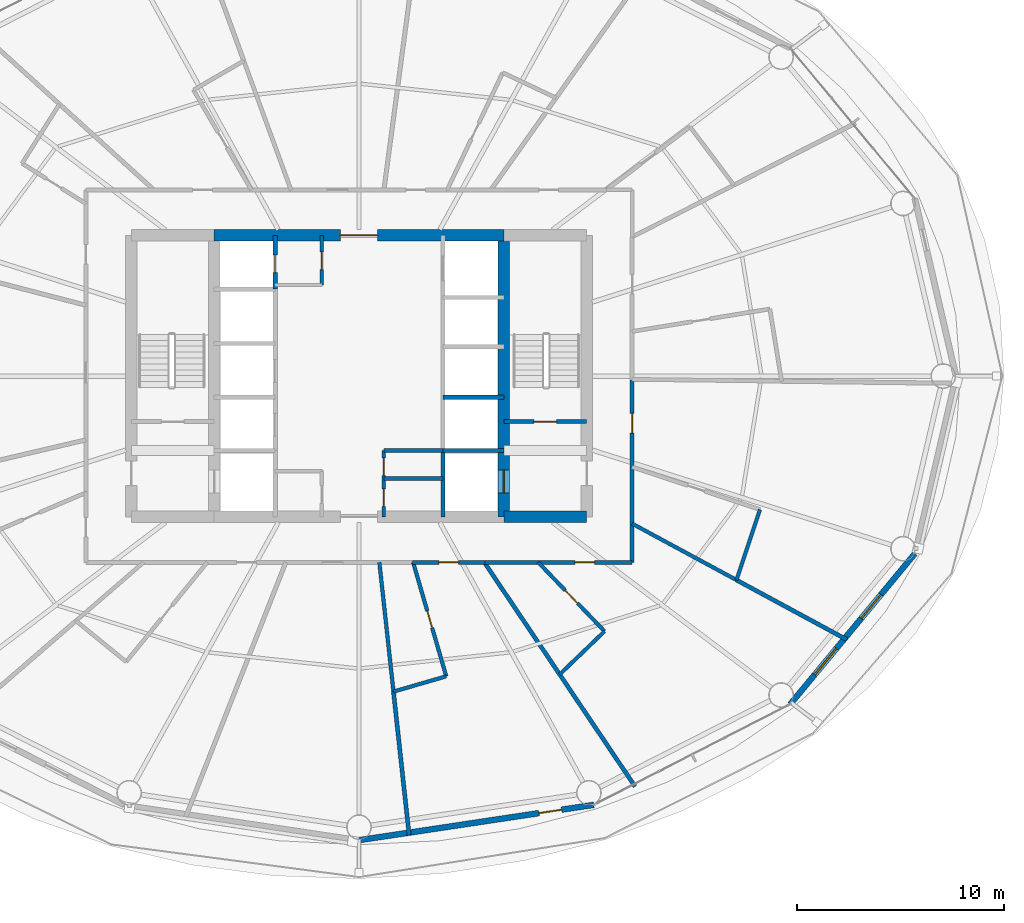
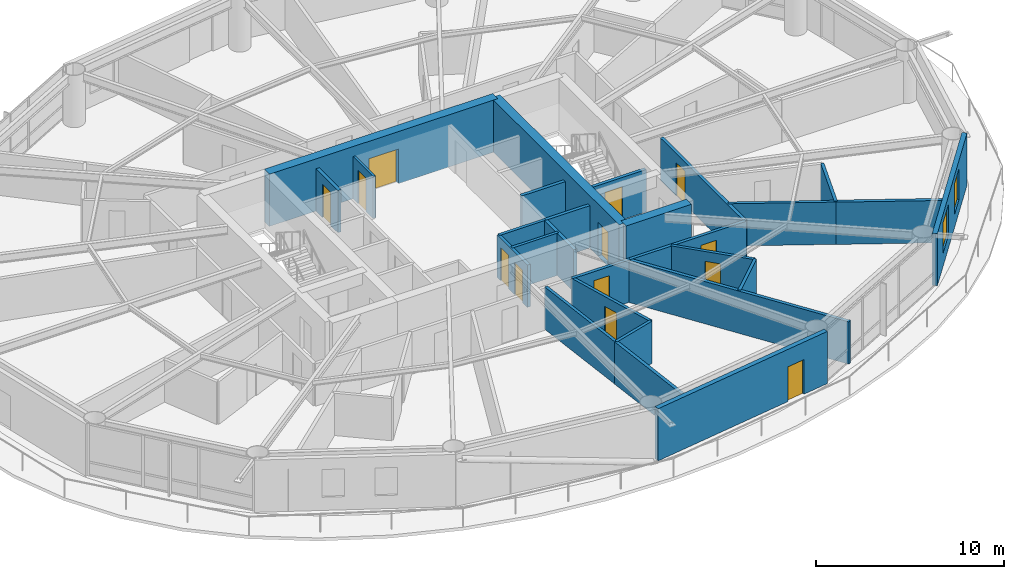
# One storey, part 19 of 24: 27 walls, 13 doors, 2 windows, 15 openings.
"""IFC4 building model written with IfcOpenShell, lengths in metres."""

import ifcopenshell
import ifcopenshell.guid

model = None  # the IFC model being written
_history = None  # IfcOwnerHistory: only IFC2X3 demands one
_inside = {}  # id of a spatial element -> (the spatial element, [elements in it])
_under = {}  # id of a project, library or spatial element -> (it, [spatial elements below it])
_declared = {}  # id of a project -> (the project, [libraries it declares])
_typed = {}  # id of a type object -> (the type object, [elements of that type])
_made_of = {}  # id of a material, layer set ... -> (it, [elements and type objects made of it])


def new_model(schema):
    """Start an empty IFC model of exactly this schema.

    Asked for "IFC4X3", IfcOpenShell would pick the latest addendum, in which some entities
    have other attributes; the version numbers below select the first issue.
    IFC2X3 requires an IfcOwnerHistory on every rooted entity: one is made here for all.
    """
    global model, _history
    if schema == "IFC4X3":
        model = ifcopenshell.file(schema_version=(4, 3, 0, 0))
    else:
        model = ifcopenshell.file(schema=schema)
    _inside.clear()
    _under.clear()
    _declared.clear()
    _typed.clear()
    _made_of.clear()
    _history = None
    if model.schema == "IFC2X3":
        org = make("IfcOrganization", Name="unknown")
        user = make(
            "IfcPersonAndOrganization",
            ThePerson=make("IfcPerson", FamilyName="unknown"),
            TheOrganization=org,
        )
        app = make(
            "IfcApplication",
            ApplicationDeveloper=org,
            Version="unknown",
            ApplicationFullName="unknown",
            ApplicationIdentifier="unknown",
        )
        _history = make(
            "IfcOwnerHistory",
            OwningUser=user,
            OwningApplication=app,
            ChangeAction="ADDED",
            CreationDate=0,
        )
    return model


def make(cls, **values):
    """One entity of the class cls with the attributes given. An attribute that is None is left unset."""
    return model.create_entity(
        cls, **{name: value for name, value in values.items() if value is not None}
    )


def rooted(cls, **values):
    """An entity with a GlobalId (a new one), such as an element, a storey or a relation."""
    return make(cls, GlobalId=ifcopenshell.guid.new(), OwnerHistory=_history, **values)


def si_unit(unit_type, name, prefix=None):
    """IfcSIUnit, for example si_unit("LENGTHUNIT", "METRE", prefix="MILLI")."""
    return make("IfcSIUnit", UnitType=unit_type, Prefix=prefix, Name=name)


def assignment(units):
    """IfcUnitAssignment: the units of a project."""
    return None if units is None else make("IfcUnitAssignment", Units=units)


def point(xyz):
    """IfcCartesianPoint."""
    return None if xyz is None else make("IfcCartesianPoint", Coordinates=xyz)


def direction(xyz):
    """IfcDirection."""
    return None if xyz is None else make("IfcDirection", DirectionRatios=xyz)


def frame(location, z_axis=None, x_axis=None):
    """IfcAxis2Placement3D, a coordinate frame: its origin and axes. An axis left out is left unset."""
    return make(
        "IfcAxis2Placement3D",
        Location=point(location),
        Axis=direction(z_axis),
        RefDirection=direction(x_axis),
    )


def frame_2d(location, x_axis=None):
    """IfcAxis2Placement2D, a coordinate frame in the plane: its origin and x axis."""
    return make(
        "IfcAxis2Placement2D", Location=point(location), RefDirection=direction(x_axis)
    )


def origin():
    """The frame at (0, 0, 0) with its axes left unset."""
    return frame((0.0, 0.0, 0.0))


def place(relative_to, where):
    """IfcLocalPlacement: puts the frame where relative to a parent placement (None: the world)."""
    return make(
        "IfcLocalPlacement", PlacementRelTo=relative_to, RelativePlacement=where
    )


def context(
    kind, dimensions, precision=None, world=None, true_north=None, identifier=None
):
    """IfcGeometricRepresentationContext, for example the 3D "Model" context."""
    return make(
        "IfcGeometricRepresentationContext",
        ContextIdentifier=identifier,
        ContextType=kind,
        CoordinateSpaceDimension=dimensions,
        Precision=precision,
        WorldCoordinateSystem=world,
        TrueNorth=true_north,
    )


def subcontext(parent, identifier, kind, view, scale=None):
    """IfcGeometricRepresentationSubContext, for example "Body" below "Model"."""
    return make(
        "IfcGeometricRepresentationSubContext",
        ContextIdentifier=identifier,
        ContextType=kind,
        ParentContext=parent,
        TargetScale=scale,
        TargetView=view,
    )


def project(units=None, contexts=None):
    """IfcProject with its units and contexts."""
    return rooted(
        "IfcProject",
        Name="project",
        RepresentationContexts=contexts,
        UnitsInContext=assignment(units),
    )


def spatial(cls, under=None, at=None, **own):
    """A site, building, storey or space (cls), placed at a placement, below another one or the project."""
    s = rooted(cls, ObjectPlacement=at, **own)
    if under is not None:
        _under.setdefault(under.id(), (under, []))[1].append(s)
    return s


def profile(cls, at=None, kind="AREA", **sizes):
    """A parametric profile (cls). Its sizes go by their IFC names, for example OverallWidth=200.0."""
    return make(cls, ProfileType=kind, Position=at, **sizes)


def rectangle(**sizes):
    """IfcRectangleProfileDef."""
    return profile("IfcRectangleProfileDef", **sizes)


def extrude(swept, where, along, depth):
    """IfcExtrudedAreaSolid: the profile swept, set in the frame where, extruded along a direction by depth."""
    return make(
        "IfcExtrudedAreaSolid",
        SweptArea=swept,
        Position=where,
        ExtrudedDirection=direction(along),
        Depth=depth,
    )


def shape(context_of_items, identifier, shape_type, items):
    """IfcShapeRepresentation: the items that make up one representation, for example the "Body"."""
    return make(
        "IfcShapeRepresentation",
        ContextOfItems=context_of_items,
        RepresentationIdentifier=identifier,
        RepresentationType=shape_type,
        Items=items,
    )


def material(Name=None, Category=None):
    """IfcMaterial."""
    return make("IfcMaterial", Name=Name, Category=Category)


def layer(
    of_material, thickness, ventilated=None, Name=None, Category=None, Priority=None
):
    """IfcMaterialLayer: one layer of a wall or slab, of a material (None: an air gap)."""
    return make(
        "IfcMaterialLayer",
        Material=of_material,
        LayerThickness=thickness,
        IsVentilated=ventilated,
        Name=Name,
        Category=Category,
        Priority=Priority,
    )


def layer_set(layers, Name=None):
    """IfcMaterialLayerSet."""
    return make("IfcMaterialLayerSet", MaterialLayers=layers, LayerSetName=Name)


def made_of(thing, what):
    """Note that an element or type object is made of a material, layer set ...; save() writes the relation."""
    if what is not None:
        _made_of.setdefault(what.id(), (what, []))[1].append(thing)
    return thing


def type_object(cls, material=None, **own):
    """A type object (cls), such as IfcWallType, which elements share."""
    return made_of(rooted(cls, **own), material)


def element(
    cls,
    number,
    at=None,
    inside=None,
    cuts=None,
    type_object=None,
    material=None,
    context=None,
    identifier="Body",
    shape_type=None,
    held_by="IfcProductDefinitionShape",
    body=None,
    shapes=None,
    **own,
):
    """One element of the class cls, such as IfcWall. Its Tag is "e" and its number.

    at: its placement. inside: the storey or other place that contains it. cuts: it is an
    opening in that element (IfcRelVoidsElement). A single representation is given by context,
    identifier, shape_type and body (its items); several are given by shapes. held_by: the class
    of the entity that holds the representations. save() writes the other relations.
    """
    e = rooted(cls, Tag="e%d" % number, ObjectPlacement=at, **own)
    if body is not None:
        shapes = [shape(context, identifier, shape_type, body)]
    if shapes is not None:
        e.Representation = make(held_by, Representations=shapes)
    if inside is not None:
        _inside.setdefault(inside.id(), (inside, []))[1].append(e)
    if cuts is not None:
        rooted(
            "IfcRelVoidsElement", RelatingBuildingElement=cuts, RelatedOpeningElement=e
        )
    if type_object is not None:
        _typed.setdefault(type_object.id(), (type_object, []))[1].append(e)
    return made_of(e, material)


def fill(opening, filler):
    """IfcRelFillsElement: the door or window that sits in an opening."""
    return rooted(
        "IfcRelFillsElement",
        RelatingOpeningElement=opening,
        RelatedBuildingElement=filler,
    )


def aggregate(whole, parts):
    """IfcRelAggregates: a whole, such as a stair, and the parts it consists of."""
    return rooted("IfcRelAggregates", RelatingObject=whole, RelatedObjects=parts)


def save(model, path):
    """Write the relations noted so far, then the file.

    IfcRelAggregates (storeys below a building ...), IfcRelContainedInSpatialStructure (elements
    in a storey), IfcRelDefinesByType, IfcRelAssociatesMaterial and IfcRelDeclares: one each for
    every whole, place, type object, material and project.
    """
    for whole, parts in _under.values():
        aggregate(whole, parts)
    for where, things in _inside.values():
        rooted(
            "IfcRelContainedInSpatialStructure",
            RelatedElements=things,
            RelatingStructure=where,
        )
    for kind, things in _typed.values():
        rooted("IfcRelDefinesByType", RelatedObjects=things, RelatingType=kind)
    for what, things in _made_of.values():
        rooted("IfcRelAssociatesMaterial", RelatedObjects=things, RelatingMaterial=what)
    for by, libraries in _declared.values():
        rooted("IfcRelDeclares", RelatingContext=by, RelatedDefinitions=libraries)
    model.write(path)


model = new_model("IFC4")

# Units and contexts
model_context = context("Model", 3, precision=1e-05, world=origin(), true_north=direction((0.0, 1.0)))
body_context = subcontext(model_context, "Body", "Model", "MODEL_VIEW")
ifc_project = project(units=[si_unit("LENGTHUNIT", "METRE"), si_unit("AREAUNIT", "SQUARE_METRE"), si_unit("VOLUMEUNIT", "CUBIC_METRE"), si_unit("PLANEANGLEUNIT", "RADIAN"), si_unit("MASSUNIT", "GRAM", prefix="KILO")], contexts=[model_context])

# Site, building, storey
site_placement = place(None, origin())
site = spatial("IfcSite", under=ifc_project, at=site_placement, CompositionType="ELEMENT")
building_placement = place(site_placement, origin())
building = spatial("IfcBuilding", under=site, at=building_placement, Name="Sarneth Arch Tower", CompositionType="ELEMENT")
storey_placement = place(building_placement, frame((0.0, 0.0, 109.199951171875)))
storey = spatial("IfcBuildingStorey", under=building, at=storey_placement, Name="L27", CompositionType="ELEMENT", Elevation=109.199951171875)

# Wall
ifc_material_1 = material(Name="Concrete C60/75", Category="concrete")
ifc_layer_1 = layer(ifc_material_1, 0.550048828125)
ifc_layer_set_1 = layer_set([ifc_layer_1], Name="Concrete C60/75")
wall_type_1 = type_object("IfcWallType", Name="WALL-CORE-550", PredefinedType="SHEAR", material=ifc_layer_set_1)
wall_1_placement = place(storey_placement, frame((55.0, 35.199951171875, 0.0), z_axis=(0.0, 0.0, 1.0), x_axis=(1.0, 0.0, 0.0)))
element("IfcWall", 1, at=wall_1_placement, inside=storey, type_object=wall_type_1, Name="L27 Core shear wall S-E", PredefinedType="SHEAR", context=body_context, shape_type="SweptSolid", body=[
    extrude(rectangle(XDim=4.0, YDim=0.550048828125, at=frame_2d((2.0, 0.0))), origin(), (0.0, 0.0, 1.0), 3.380126953125),
])

# Wall, opening, door
wall_2_placement = place(storey_placement, frame((41.0, 48.800048828125, 0.0), z_axis=(0.0, 0.0, 1.0), x_axis=(1.0, 0.0, 0.0)))
wall_2 = element("IfcWall", 2, at=wall_2_placement, inside=storey, type_object=wall_type_1, Name="L27 Core shear wall N-M", PredefinedType="SHEAR", context=body_context, shape_type="SweptSolid", body=[
    extrude(rectangle(XDim=14.0, YDim=0.550048828125, at=frame_2d((7.0, 0.0))), origin(), (0.0, 0.0, 1.0), 3.380126953125),
])
opening_1_placement = place(wall_2_placement, frame((6.10009765625, 0.0, 0.0)))
opening_1 = element("IfcOpeningElement", 3, at=opening_1_placement, cuts=wall_2, Name="Opening FD-01", PredefinedType="OPENING", context=body_context, shape_type="SweptSolid", body=[
    extrude(rectangle(XDim=1.800048828125, YDim=2.25, at=frame_2d((0.89990234375, 1.125))), frame((0.0, 0.284912109375, 0.0), z_axis=(0.0, -1.0, 0.0), x_axis=(1.0, 0.0, 0.0)), (0.0, 0.0, 1.0), 0.570068359375),
])
ifc_material_2 = material(Name="Galvanised Steel S275 fire door set", Category="steel")
door_type_1 = type_object("IfcDoorType", Name="DR-FD90-1800", OperationType="DOUBLE_DOOR_SINGLE_SWING", PredefinedType="DOOR", material=ifc_material_2)
door_1_placement = place(opening_1_placement, origin())
door_1 = element("IfcDoor", 4, at=door_1_placement, inside=storey, type_object=door_type_1, Name="L27 Central lift lobby north door", OperationType="DOUBLE_DOOR_SINGLE_SWING", OverallHeight=2.25, OverallWidth=1.800048828125, PredefinedType="DOOR", context=body_context, shape_type="SweptSolid", body=[
    extrude(rectangle(XDim=1.800048828125, YDim=2.25, at=frame_2d((0.89990234375, 1.125))), frame((0.0, 0.02490234375, 0.0), z_axis=(0.0, -1.0, 0.0), x_axis=(1.0, 0.0, 0.0)), (0.0, 0.0, 1.0), 0.050048828125),
])
fill(opening_1, door_1)

wall_3_placement = place(storey_placement, frame((55.0, 35.199951171875, 0.0), z_axis=(0.0, 0.0, 1.0), x_axis=(0.0, 1.0, 0.0)))
wall_3 = element("IfcWall", 5, at=wall_3_placement, inside=storey, type_object=wall_type_1, Name="L27 Core shear wall WEB-E", PredefinedType="SHEAR", context=body_context, shape_type="SweptSolid", body=[
    extrude(rectangle(XDim=13.60009765625, YDim=0.550048828125, at=frame_2d((6.800048828125, 0.0))), origin(), (0.0, 0.0, 1.0), 3.380126953125),
])
opening_2_placement = place(wall_3_placement, frame((1.14990234375, 0.0, 0.0)))
opening_2 = element("IfcOpeningElement", 6, at=opening_2_placement, cuts=wall_3, Name="Opening LD-1", PredefinedType="OPENING", context=body_context, shape_type="SweptSolid", body=[
    extrude(rectangle(XDim=1.10009765625, YDim=2.199951171875, at=frame_2d((0.550048828125, 1.10009765625))), frame((0.0, 0.284912109375, 0.0), z_axis=(0.0, -1.0, 0.0), x_axis=(1.0, 0.0, 0.0)), (0.0, 0.0, 1.0), 0.570068359375),
])
ifc_material_3 = material(Name="Brushed Stainless Steel 304 lift landing door", Category="steel")
door_type_2 = type_object("IfcDoorType", Name="DR-LIFT-SLIDE-1100", OperationType="SLIDING_TO_LEFT", PredefinedType="DOOR", material=ifc_material_3)
door_2_placement = place(opening_2_placement, origin())
door_2 = element("IfcDoor", 7, at=door_2_placement, inside=storey, type_object=door_type_2, Name="L27 Firefighting lift landing door FL-2", OperationType="SLIDING_TO_RIGHT", OverallHeight=2.199951171875, OverallWidth=1.10009765625, PredefinedType="DOOR", context=body_context, shape_type="SweptSolid", body=[
    extrude(rectangle(XDim=1.10009765625, YDim=2.199951171875, at=frame_2d((0.550048828125, 1.10009765625))), frame((0.0, 0.02490234375, 0.0), z_axis=(0.0, -1.0, 0.0), x_axis=(1.0, 0.0, 0.0)), (0.0, 0.0, 1.0), 0.050048828125),
])
fill(opening_2, door_2)

ifc_material_4 = material(Name="Double steel-stud corridor fire wall", Category="steel")
ifc_layer_2 = layer(ifc_material_4, 0.18994140625)
ifc_layer_set_2 = layer_set([ifc_layer_2], Name="Double steel-stud corridor fire wall")
wall_type_2 = type_object("IfcWallType", Name="WALL-CORR-190", PredefinedType="PARTITIONING", material=ifc_layer_set_2)
wall_4_placement = place(storey_placement, frame((61.199951171875, 33.0, 0.0), z_axis=(0.0, 0.0, 1.0), x_axis=(-1.0, 0.0, 0.0)))
wall_4 = element("IfcWall", 8, at=wall_4_placement, inside=storey, type_object=wall_type_2, Name="L27 Interior partition W-L27-TP-022", PredefinedType="PARTITIONING", context=body_context, shape_type="SweptSolid", body=[
    extrude(rectangle(XDim=7.185546875, YDim=0.18994140625, at=frame_2d((3.5927734375, 0.0))), origin(), (0.0, 0.0, 1.0), 2.739990234375),
])
opening_3_placement = place(wall_4_placement, frame((1.81787109375, 0.0, 0.0)))
opening_3 = element("IfcOpeningElement", 9, at=opening_3_placement, cuts=wall_4, Name="Opening FD-09", PredefinedType="OPENING", context=body_context, shape_type="SweptSolid", body=[
    extrude(rectangle(XDim=0.949951171875, YDim=2.14990234375, at=frame_2d((0.47509765625, 1.074951171875))), frame((0.0, 0.10498046875, 0.0), z_axis=(0.0, -1.0, 0.0), x_axis=(1.0, 0.0, 0.0)), (0.0, 0.0, 1.0), 0.2099609375),
])
ifc_material_5 = material(Name="Hardwood timber hotel entrance fire door", Category="wood")
door_type_3 = type_object("IfcDoorType", Name="DR-FD60-950", OperationType="SINGLE_SWING_RIGHT", PredefinedType="DOOR", material=ifc_material_5)
door_3_placement = place(opening_3_placement, origin())
door_3 = element("IfcDoor", 10, at=door_3_placement, inside=storey, type_object=door_type_3, Name="L27 Interior door DR-L27-KEY-11", OperationType="SINGLE_SWING_LEFT", OverallHeight=2.14990234375, OverallWidth=0.949951171875, PredefinedType="DOOR", context=body_context, shape_type="SweptSolid", body=[
    extrude(rectangle(XDim=0.949951171875, YDim=2.14990234375, at=frame_2d((0.47509765625, 1.074951171875))), frame((0.0, 0.02490234375, 0.0), z_axis=(0.0, -1.0, 0.0), x_axis=(1.0, 0.0, 0.0)), (0.0, 0.0, 1.0), 0.050048828125),
])
fill(opening_3, door_3)

wall_5_placement = place(storey_placement, frame((61.199951171875, 41.87255859375, 0.0), z_axis=(0.0, 0.0, 1.0), x_axis=(0.0, -1.0, 0.0)))
wall_5 = element("IfcWall", 11, at=wall_5_placement, inside=storey, type_object=wall_type_2, Name="L27 Interior partition W-L27-TP-024", PredefinedType="PARTITIONING", context=body_context, shape_type="SweptSolid", body=[
    extrude(rectangle(XDim=8.87255859375, YDim=0.18994140625, at=frame_2d((4.436279296875, 0.0))), origin(), (0.0, 0.0, 1.0), 2.739990234375),
])
opening_4_placement = place(wall_5_placement, frame((1.675537109375, 0.0, 0.0)))
opening_4 = element("IfcOpeningElement", 12, at=opening_4_placement, cuts=wall_5, Name="Opening FD-09", PredefinedType="OPENING", context=body_context, shape_type="SweptSolid", body=[
    extrude(rectangle(XDim=0.949951171875, YDim=2.14990234375, at=frame_2d((0.47509765625, 1.074951171875))), frame((0.0, 0.10498046875, 0.0), z_axis=(0.0, -1.0, 0.0), x_axis=(1.0, 0.0, 0.0)), (0.0, 0.0, 1.0), 0.2099609375),
])
door_4_placement = place(opening_4_placement, origin())
door_4 = element("IfcDoor", 13, at=door_4_placement, inside=storey, type_object=door_type_3, Name="L27 Interior door DR-L27-KEY-12", OperationType="SINGLE_SWING_RIGHT", OverallHeight=2.14990234375, OverallWidth=0.949951171875, PredefinedType="DOOR", context=body_context, shape_type="SweptSolid", body=[
    extrude(rectangle(XDim=0.949951171875, YDim=2.14990234375, at=frame_2d((0.47509765625, 1.074951171875))), frame((0.0, 0.02490234375, 0.0), z_axis=(0.0, -1.0, 0.0), x_axis=(1.0, 0.0, 0.0)), (0.0, 0.0, 1.0), 0.050048828125),
])
fill(opening_4, door_4)

wall_6_placement = place(storey_placement, frame((54.091552734375, 33.0, 0.0), z_axis=(0.0, 0.0, 1.0), x_axis=(-1.0, 0.0, 0.0)))
wall_6 = element("IfcWall", 14, at=wall_6_placement, inside=storey, type_object=wall_type_2, Name="L27 Interior partition W-L27-TP-019", PredefinedType="PARTITIONING", context=body_context, shape_type="SweptSolid", body=[
    extrude(rectangle(XDim=3.51025390625, YDim=0.18994140625, at=frame_2d((1.755126953125, 0.0))), origin(), (0.0, 0.0, 1.0), 2.739990234375),
])
opening_5_placement = place(wall_6_placement, frame((1.280029296875, 0.0, 0.0)))
opening_5 = element("IfcOpeningElement", 15, at=opening_5_placement, cuts=wall_6, Name="Opening FD-09", PredefinedType="OPENING", context=body_context, shape_type="SweptSolid", body=[
    extrude(rectangle(XDim=0.949951171875, YDim=2.14990234375, at=frame_2d((0.47509765625, 1.074951171875))), frame((0.0, 0.10498046875, 0.0), z_axis=(0.0, -1.0, 0.0), x_axis=(1.0, 0.0, 0.0)), (0.0, 0.0, 1.0), 0.2099609375),
])
door_5_placement = place(opening_5_placement, origin())
door_5 = element("IfcDoor", 16, at=door_5_placement, inside=storey, type_object=door_type_3, Name="L27 Interior door DR-L27-KEY-10", OperationType="SINGLE_SWING_LEFT", OverallHeight=2.14990234375, OverallWidth=0.949951171875, PredefinedType="DOOR", context=body_context, shape_type="SweptSolid", body=[
    extrude(rectangle(XDim=0.949951171875, YDim=2.14990234375, at=frame_2d((0.47509765625, 1.074951171875))), frame((0.0, 0.02490234375, 0.0), z_axis=(0.0, -1.0, 0.0), x_axis=(1.0, 0.0, 0.0)), (0.0, 0.0, 1.0), 0.050048828125),
])
fill(opening_5, door_5)

ifc_material_6 = material(Name="Extruded terracotta rainscreen on Concrete C40/50 backing", Category="masonry")
ifc_layer_3 = layer(ifc_material_6, 0.280029296875)
ifc_layer_set_3 = layer_set([ifc_layer_3], Name="Extruded terracotta rainscreen on Concrete C40/50 backing")
wall_type_3 = type_object("IfcWallType", Name="WALL-EXT-TERRA-280", PredefinedType="SOLIDWALL", material=ifc_layer_set_3)
wall_7_placement = place(storey_placement, frame((48.0, 19.570068359375, 0.0), z_axis=(0.0, 0.0, 1.0), x_axis=(0.988877774656, 0.148730450117, 0.0)))
wall_7 = element("IfcWall", 17, at=wall_7_placement, inside=storey, type_object=wall_type_3, Name="L27 Terracotta perimeter wall 13", PredefinedType="SOLIDWALL", context=body_context, shape_type="SweptSolid", body=[
    extrude(rectangle(XDim=11.47900390625, YDim=0.280029296875, at=frame_2d((5.739501953125, 0.0))), origin(), (0.0, 0.0, 1.0), 3.380126953125),
])
opening_6_placement = place(wall_7_placement, frame((8.797119140625, 0.0, 0.0)))
opening_6 = element("IfcOpeningElement", 18, at=opening_6_placement, cuts=wall_7, Name="Opening BD-3", PredefinedType="OPENING", context=body_context, shape_type="SweptSolid", body=[
    extrude(rectangle(XDim=1.10009765625, YDim=2.25, at=frame_2d((0.550048828125, 1.125))), frame((0.0, 0.14990234375, 0.0), z_axis=(0.0, -1.0, 0.0), x_axis=(1.0, 0.0, 0.0)), (0.0, 0.0, 1.0), 0.300048828125),
])
ifc_material_7 = material(Name="Thermally broken Aluminium 6063-T6 and laminated safety glass", Category="aluminium")
door_type_4 = type_object("IfcDoorType", Name="DR-BALC-GLZ-1100", OperationType="SINGLE_SWING_LEFT", PredefinedType="DOOR", material=ifc_material_7)
door_6_placement = place(opening_6_placement, origin())
door_6 = element("IfcDoor", 19, at=door_6_placement, inside=storey, type_object=door_type_4, Name="L27 Balcony glazed door 13", OperationType="SINGLE_SWING_LEFT", OverallHeight=2.25, OverallWidth=1.10009765625, PredefinedType="DOOR", context=body_context, shape_type="SweptSolid", body=[
    extrude(rectangle(XDim=1.10009765625, YDim=2.25, at=frame_2d((0.550048828125, 1.125))), frame((0.0, 0.02490234375, 0.0), z_axis=(0.0, -1.0, 0.0), x_axis=(1.0, 0.0, 0.0)), (0.0, 0.0, 1.0), 0.050048828125),
])
fill(opening_6, door_6)

# Wall, openings, windows
wall_8_placement = place(storey_placement, frame((68.840087890625, 26.1396484375, 0.0), z_axis=(0.0, 0.0, 1.0), x_axis=(0.637505817448, 0.770445541696, 0.0)))
wall_8 = element("IfcWall", 20, at=wall_8_placement, inside=storey, type_object=wall_type_3, Name="L27 Terracotta perimeter wall 15", PredefinedType="SOLIDWALL", context=body_context, shape_type="SweptSolid", body=[
    extrude(rectangle(XDim=9.445068359375, YDim=0.280029296875, at=frame_2d((4.72265625, 0.0))), origin(), (0.0, 0.0, 1.0), 3.380126953125),
])
opening_7_placement = place(wall_8_placement, frame((1.85498046875, 0.0, 0.85009765625)))
opening_7 = element("IfcOpeningElement", 21, at=opening_7_placement, cuts=wall_8, Name="Opening W-05", PredefinedType="OPENING", context=body_context, shape_type="SweptSolid", body=[
    extrude(rectangle(XDim=1.64990234375, YDim=2.0, at=frame_2d((0.824951171875, 1.0))), frame((0.0, 0.14990234375, 0.0), z_axis=(0.0, -1.0, 0.0), x_axis=(1.0, 0.0, 0.0)), (0.0, 0.0, 1.0), 0.300048828125),
])
opening_8_placement = place(wall_8_placement, frame((5.383056640625, 0.0, 0.85009765625)))
opening_8 = element("IfcOpeningElement", 22, at=opening_8_placement, cuts=wall_8, Name="Opening W-06", PredefinedType="OPENING", context=body_context, shape_type="SweptSolid", body=[
    extrude(rectangle(XDim=1.5, YDim=2.0, at=frame_2d((0.75, 1.0))), frame((0.0, 0.14990234375, 0.0), z_axis=(0.0, -1.0, 0.0), x_axis=(1.0, 0.0, 0.0)), (0.0, 0.0, 1.0), 0.300048828125),
])
ifc_material_8 = material(Name="Thermally broken Aluminium 6063-T6 and low-e laminated IGU", Category="aluminium")
window_type_1 = type_object("IfcWindowType", Name="WIN-TWR-1500x2000", PartitioningType="SINGLE_PANEL", PredefinedType="WINDOW", material=ifc_material_8)
window_1_placement = place(opening_8_placement, origin())
window_1 = element("IfcWindow", 23, at=window_1_placement, inside=storey, type_object=window_type_1, Name="L27 Exterior window 15B", OverallHeight=2.0, OverallWidth=1.5, PartitioningType="SINGLE_PANEL", PredefinedType="WINDOW", context=body_context, shape_type="SweptSolid", body=[
    extrude(rectangle(XDim=1.5, YDim=2.0, at=frame_2d((0.75, 1.0))), frame((0.0, 0.030029296875, 0.0), z_axis=(0.0, -1.0, 0.0), x_axis=(1.0, 0.0, 0.0)), (0.0, 0.0, 1.0), 0.06005859375),
])
fill(opening_8, window_1)
ifc_material_9 = material(Name="Thermally broken Aluminium 6063-T6 and low-e laminated IGU", Category="aluminium")
window_type_2 = type_object("IfcWindowType", Name="WIN-TWR-1650x2000", PartitioningType="DOUBLE_PANEL_VERTICAL", PredefinedType="WINDOW", material=ifc_material_9)
window_2_placement = place(opening_7_placement, origin())
window_2 = element("IfcWindow", 24, at=window_2_placement, inside=storey, type_object=window_type_2, Name="L27 Exterior window 15A", OverallHeight=2.0, OverallWidth=1.64990234375, PartitioningType="SINGLE_PANEL", PredefinedType="WINDOW", context=body_context, shape_type="SweptSolid", body=[
    extrude(rectangle(XDim=1.64990234375, YDim=2.0, at=frame_2d((0.824951171875, 1.0))), frame((0.0, 0.030029296875, 0.0), z_axis=(0.0, -1.0, 0.0), x_axis=(1.0, 0.0, 0.0)), (0.0, 0.0, 1.0), 0.06005859375),
])
fill(opening_7, window_2)

# Wall, opening, door
ifc_material_10 = material(Name="Acoustic gypsum stud partition", Category="gypsum")
ifc_layer_4 = layer(ifc_material_10, 0.14990234375)
ifc_layer_set_4 = layer_set([ifc_layer_4], Name="Acoustic gypsum stud partition")
wall_type_4 = type_object("IfcWallType", Name="WALL-PART-150", PredefinedType="PARTITIONING", material=ifc_layer_set_4)
wall_9_placement = place(storey_placement, frame((46.199951171875, 46.39990234375, 0.0), z_axis=(0.0, 0.0, 1.0), x_axis=(0.0, 1.0, 0.0)))
wall_9 = element("IfcWall", 25, at=wall_9_placement, inside=storey, type_object=wall_type_4, Name="L27 Interior partition W-L27-CSUP2-E", PredefinedType="PARTITIONING", context=body_context, shape_type="SweptSolid", body=[
    extrude(rectangle(XDim=2.400146484375, YDim=0.14990234375, at=frame_2d((1.2001953125, 0.0))), origin(), (0.0, 0.0, 1.0), 2.739990234375),
])
opening_9_placement = place(wall_9_placement, frame((0.75, 0.0, 0.0)))
opening_9 = element("IfcOpeningElement", 26, at=opening_9_placement, cuts=wall_9, Name="Opening FD-11", PredefinedType="OPENING", context=body_context, shape_type="SweptSolid", body=[
    extrude(rectangle(XDim=0.85009765625, YDim=2.14990234375, at=frame_2d((0.425048828125, 1.074951171875))), frame((0.0, 0.0849609375, 0.0), z_axis=(0.0, -1.0, 0.0), x_axis=(1.0, 0.0, 0.0)), (0.0, 0.0, 1.0), 0.169921875),
])
ifc_material_11 = material(Name="Galvanised Steel S275 closet fire door", Category="steel")
door_type_5 = type_object("IfcDoorType", Name="DR-FD60-850", OperationType="SINGLE_SWING_LEFT", PredefinedType="DOOR", material=ifc_material_11)
door_7_placement = place(opening_9_placement, origin())
door_7 = element("IfcDoor", 27, at=door_7_placement, inside=storey, type_object=door_type_5, Name="L27 Interior door DR-L27-CSUP2", OperationType="SINGLE_SWING_RIGHT", OverallHeight=2.14990234375, OverallWidth=0.85009765625, PredefinedType="DOOR", context=body_context, shape_type="SweptSolid", body=[
    extrude(rectangle(XDim=0.85009765625, YDim=2.14990234375, at=frame_2d((0.425048828125, 1.074951171875))), frame((0.0, 0.02490234375, 0.0), z_axis=(0.0, -1.0, 0.0), x_axis=(1.0, 0.0, 0.0)), (0.0, 0.0, 1.0), 0.050048828125),
])
fill(opening_9, door_7)

# Walls
ifc_material_12 = material(Name="Moisture-resistant plumbing chase wall", Category="gypsum")
ifc_layer_5 = layer(ifc_material_12, 0.179931640625)
ifc_layer_set_5 = layer_set([ifc_layer_5], Name="Moisture-resistant plumbing chase wall")
wall_type_5 = type_object("IfcWallType", Name="WALL-PLUMB-180", PredefinedType="PLUMBINGWALL", material=ifc_layer_set_5)
for number, where, z_axis, x_axis, name in (
    (28, (49.199951171875, 37.050048828125, 0.0), (0.0, 0.0, 1.0), (1.0, 0.0, 0.0), "L27 Interior partition W-L27-AWC-M"),
    (29, (49.199951171875, 38.39990234375, 0.0), (0.0, 0.0, 1.0), (1.0, 0.0, 0.0), "L27 Interior partition W-L27-AWC-N"),
):
    element("IfcWall", number, at=place(storey_placement, frame(where, z_axis=z_axis, x_axis=x_axis)), inside=storey, type_object=wall_type_5, Name=name, PredefinedType="PLUMBINGWALL", context=body_context, shape_type="SweptSolid", body=[
        extrude(rectangle(XDim=2.85009765625, YDim=0.179931640625, at=frame_2d((1.425048828125, 0.0))), origin(), (0.0, 0.0, 1.0), 2.739990234375),
    ])

# Wall, openings, doors
wall_10_placement = place(storey_placement, frame((49.199951171875, 35.199951171875, 0.0), z_axis=(0.0, 0.0, 1.0), x_axis=(0.0, 1.0, 0.0)))
wall_10 = element("IfcWall", 30, at=wall_10_placement, inside=storey, type_object=wall_type_5, Name="L27 Interior partition W-L27-AWC-W", PredefinedType="PLUMBINGWALL", context=body_context, shape_type="SweptSolid", body=[
    extrude(rectangle(XDim=3.199951171875, YDim=0.179931640625, at=frame_2d((1.60009765625, 0.0))), origin(), (0.0, 0.0, 1.0), 2.739990234375),
])
opening_10_placement = place(wall_10_placement, frame((0.5, 0.0, 0.0)))
opening_10 = element("IfcOpeningElement", 31, at=opening_10_placement, cuts=wall_10, Name="Opening ID-02", PredefinedType="OPENING", context=body_context, shape_type="SweptSolid", body=[
    extrude(rectangle(XDim=0.85009765625, YDim=2.10009765625, at=frame_2d((0.425048828125, 1.050048828125))), frame((0.0, 0.099853515625, 0.0), z_axis=(0.0, -1.0, 0.0), x_axis=(1.0, 0.0, 0.0)), (0.0, 0.0, 1.0), 0.199951171875),
])
opening_11_placement = place(wall_10_placement, frame((2.0, 0.0, 0.0)))
opening_11 = element("IfcOpeningElement", 32, at=opening_11_placement, cuts=wall_10, Name="Opening FD-11", PredefinedType="OPENING", context=body_context, shape_type="SweptSolid", body=[
    extrude(rectangle(XDim=0.85009765625, YDim=2.14990234375, at=frame_2d((0.425048828125, 1.074951171875))), frame((0.0, 0.099853515625, 0.0), z_axis=(0.0, -1.0, 0.0), x_axis=(1.0, 0.0, 0.0)), (0.0, 0.0, 1.0), 0.199951171875),
])
door_8_placement = place(opening_11_placement, origin())
door_8 = element("IfcDoor", 33, at=door_8_placement, inside=storey, type_object=door_type_5, Name="L27 Interior door DR-L27-CSUP3", OperationType="SINGLE_SWING_LEFT", OverallHeight=2.14990234375, OverallWidth=0.85009765625, PredefinedType="DOOR", context=body_context, shape_type="SweptSolid", body=[
    extrude(rectangle(XDim=0.85009765625, YDim=2.14990234375, at=frame_2d((0.425048828125, 1.074951171875))), frame((0.0, 0.02490234375, 0.0), z_axis=(0.0, -1.0, 0.0), x_axis=(1.0, 0.0, 0.0)), (0.0, 0.0, 1.0), 0.050048828125),
])
fill(opening_11, door_8)
ifc_material_13 = material(Name="Moisture-resistant bathroom timber door", Category="wood")
door_type_6 = type_object("IfcDoorType", Name="DR-INT-850", OperationType="SINGLE_SWING_RIGHT", PredefinedType="DOOR", material=ifc_material_13)
door_9_placement = place(opening_10_placement, origin())
door_9 = element("IfcDoor", 34, at=door_9_placement, inside=storey, type_object=door_type_6, Name="L27 Interior door DR-L27-AWC", OperationType="SINGLE_SWING_RIGHT", OverallHeight=2.10009765625, OverallWidth=0.85009765625, PredefinedType="DOOR", context=body_context, shape_type="SweptSolid", body=[
    extrude(rectangle(XDim=0.85009765625, YDim=2.10009765625, at=frame_2d((0.425048828125, 1.050048828125))), frame((0.0, 0.02490234375, 0.0), z_axis=(0.0, -1.0, 0.0), x_axis=(1.0, 0.0, 0.0)), (0.0, 0.0, 1.0), 0.050048828125),
])
fill(opening_10, door_9)

# Wall
wall_11_placement = place(storey_placement, frame((49.6650390625, 26.74951171875, 0.0), z_axis=(0.0, 0.0, 1.0), x_axis=(-0.108526347032, 0.99409357306, 0.0)))
element("IfcWall", 35, at=wall_11_placement, inside=storey, type_object=wall_type_5, Name="L27 Interior partition W-L27-TP-056", PredefinedType="PLUMBINGWALL", context=body_context, shape_type="SweptSolid", body=[
    extrude(rectangle(XDim=6.28759765625, YDim=0.179931640625, at=frame_2d((3.143798828125, 0.0))), origin(), (0.0, 0.0, 1.0), 2.739990234375),
])

# Wall, opening, door
wall_12_placement = place(storey_placement, frame((50.61474609375, 33.0, 0.0), z_axis=(0.0, 0.0, 1.0), x_axis=(0.278967165891, -0.960300640609, 0.0)))
wall_12 = element("IfcWall", 36, at=wall_12_placement, inside=storey, type_object=wall_type_5, Name="L27 Interior partition W-L27-TP-057", PredefinedType="PLUMBINGWALL", context=body_context, shape_type="SweptSolid", body=[
    extrude(rectangle(XDim=5.737548828125, YDim=0.179931640625, at=frame_2d((2.86865234375, 0.0))), origin(), (0.0, 0.0, 1.0), 2.739990234375),
])
opening_12_placement = place(wall_12_placement, frame((2.44384765625, 0.0, 0.0)))
opening_12 = element("IfcOpeningElement", 37, at=opening_12_placement, cuts=wall_12, Name="Opening ID-02", PredefinedType="OPENING", context=body_context, shape_type="SweptSolid", body=[
    extrude(rectangle(XDim=0.85009765625, YDim=2.10009765625, at=frame_2d((0.425048828125, 1.050048828125))), frame((0.0, 0.099853515625, 0.0), z_axis=(0.0, -1.0, 0.0), x_axis=(1.0, 0.0, 0.0)), (0.0, 0.0, 1.0), 0.199951171875),
])
door_10_placement = place(opening_12_placement, origin())
door_10 = element("IfcDoor", 38, at=door_10_placement, inside=storey, type_object=door_type_6, Name="L27 Interior door DR-L27-ENS-10", OperationType="SINGLE_SWING_LEFT", OverallHeight=2.10009765625, OverallWidth=0.85009765625, PredefinedType="DOOR", context=body_context, shape_type="SweptSolid", body=[
    extrude(rectangle(XDim=0.85009765625, YDim=2.10009765625, at=frame_2d((0.425048828125, 1.050048828125))), frame((0.0, 0.02490234375, 0.0), z_axis=(0.0, -1.0, 0.0), x_axis=(1.0, 0.0, 0.0)), (0.0, 0.0, 1.0), 0.050048828125),
])
fill(opening_12, door_10)

# Wall
wall_13_placement = place(storey_placement, frame((66.242919921875, 32.142578125, 0.0), z_axis=(0.0, 0.0, 1.0), x_axis=(-0.879784992633, 0.475371819461, 0.0)))
element("IfcWall", 39, at=wall_13_placement, inside=storey, type_object=wall_type_5, Name="L27 Interior partition W-L27-TP-064", PredefinedType="PLUMBINGWALL", context=body_context, shape_type="SweptSolid", body=[
    extrude(rectangle(XDim=5.73193359375, YDim=0.179931640625, at=frame_2d((2.865966796875, 0.0))), origin(), (0.0, 0.0, 1.0), 2.739990234375),
])

# Wall, opening, door
wall_14_placement = place(storey_placement, frame((59.8662109375, 29.666015625, 0.0), z_axis=(0.0, 0.0, 1.0), x_axis=(-0.693306956927, 0.720642396392, 0.0)))
wall_14 = element("IfcWall", 40, at=wall_14_placement, inside=storey, type_object=wall_type_5, Name="L27 Interior partition W-L27-TP-062", PredefinedType="PLUMBINGWALL", context=body_context, shape_type="SweptSolid", body=[
    extrude(rectangle(XDim=4.62646484375, YDim=0.179931640625, at=frame_2d((2.313232421875, 0.0))), origin(), (0.0, 0.0, 1.0), 2.739990234375),
])
opening_13_placement = place(wall_14_placement, frame((1.88818359375, 0.0, 0.0)))
opening_13 = element("IfcOpeningElement", 41, at=opening_13_placement, cuts=wall_14, Name="Opening ID-02", PredefinedType="OPENING", context=body_context, shape_type="SweptSolid", body=[
    extrude(rectangle(XDim=0.85009765625, YDim=2.10009765625, at=frame_2d((0.425048828125, 1.050048828125))), frame((0.0, 0.099853515625, 0.0), z_axis=(0.0, -1.0, 0.0), x_axis=(1.0, 0.0, 0.0)), (0.0, 0.0, 1.0), 0.199951171875),
])
door_11_placement = place(opening_13_placement, origin())
door_11 = element("IfcDoor", 42, at=door_11_placement, inside=storey, type_object=door_type_6, Name="L27 Interior door DR-L27-ENS-11", OperationType="SINGLE_SWING_LEFT", OverallHeight=2.10009765625, OverallWidth=0.85009765625, PredefinedType="DOOR", context=body_context, shape_type="SweptSolid", body=[
    extrude(rectangle(XDim=0.85009765625, YDim=2.10009765625, at=frame_2d((0.425048828125, 1.050048828125))), frame((0.0, 0.02490234375, 0.0), z_axis=(0.0, -1.0, 0.0), x_axis=(1.0, 0.0, 0.0)), (0.0, 0.0, 1.0), 0.050048828125),
])
fill(opening_13, door_11)

# Walls
wall_15_placement = place(storey_placement, frame((67.376708984375, 35.54833984375, 0.0), z_axis=(0.0, 0.0, 1.0), x_axis=(-0.315860462711, -0.948805653491, 0.0)))
element("IfcWall", 43, at=wall_15_placement, inside=storey, type_object=wall_type_5, Name="L27 Interior partition W-L27-TP-066", PredefinedType="PLUMBINGWALL", context=body_context, shape_type="SweptSolid", body=[
    extrude(rectangle(XDim=3.589599609375, YDim=0.179931640625, at=frame_2d((1.794921875, 0.0))), origin(), (0.0, 0.0, 1.0), 2.739990234375),
])
wall_16_placement = place(storey_placement, frame((57.697998046875, 27.580322265625, 0.0), z_axis=(0.0, 0.0, 1.0), x_axis=(0.720688028056, 0.693259522991, 0.0)))
element("IfcWall", 44, at=wall_16_placement, inside=storey, type_object=wall_type_5, Name="L27 Interior partition W-L27-TP-061", PredefinedType="PLUMBINGWALL", context=body_context, shape_type="SweptSolid", body=[
    extrude(rectangle(XDim=3.008544921875, YDim=0.179931640625, at=frame_2d((1.50439453125, 0.0))), origin(), (0.0, 0.0, 1.0), 2.739990234375),
])
wall_17_placement = place(storey_placement, frame((52.21533203125, 27.490234375, 0.0), z_axis=(0.0, 0.0, 1.0), x_axis=(-0.960314459225, -0.278919593078, 0.0)))
element("IfcWall", 45, at=wall_17_placement, inside=storey, type_object=wall_type_5, Name="L27 Interior partition W-L27-TP-058", PredefinedType="PLUMBINGWALL", context=body_context, shape_type="SweptSolid", body=[
    extrude(rectangle(XDim=2.65576171875, YDim=0.179931640625, at=frame_2d((1.327880859375, 0.0))), origin(), (0.0, 0.0, 1.0), 2.739990234375),
])

# Wall, opening, door
ifc_material_14 = material(Name="Aerated concrete blockwork C25/30", Category="masonry")
ifc_layer_6 = layer(ifc_material_14, 0.199951171875)
ifc_layer_set_6 = layer_set([ifc_layer_6], Name="Aerated concrete blockwork C25/30")
wall_type_6 = type_object("IfcWallType", Name="WALL-SHAFT-200", PredefinedType="SOLIDWALL", material=ifc_layer_set_6)
wall_18_placement = place(storey_placement, frame((55.0, 39.800048828125, 0.0), z_axis=(0.0, 0.0, 1.0), x_axis=(1.0, 0.0, 0.0)))
wall_18 = element("IfcWall", 46, at=wall_18_placement, inside=storey, type_object=wall_type_6, Name="L27 Interior partition W-L27-ST2-S", PredefinedType="SOLIDWALL", context=body_context, shape_type="SweptSolid", body=[
    extrude(rectangle(XDim=4.0, YDim=0.199951171875, at=frame_2d((2.0, 0.0))), origin(), (0.0, 0.0, 1.0), 2.739990234375),
])
opening_14_placement = place(wall_18_placement, frame((1.449951171875, 0.0, 0.0)))
opening_14 = element("IfcOpeningElement", 47, at=opening_14_placement, cuts=wall_18, Name="Opening FD-03", PredefinedType="OPENING", context=body_context, shape_type="SweptSolid", body=[
    extrude(rectangle(XDim=1.10009765625, YDim=2.14990234375, at=frame_2d((0.550048828125, 1.074951171875))), frame((0.0, 0.10986328125, 0.0), z_axis=(0.0, -1.0, 0.0), x_axis=(1.0, 0.0, 0.0)), (0.0, 0.0, 1.0), 0.219970703125),
])
ifc_material_15 = material(Name="Galvanised Steel S275 fire door set", Category="steel")
door_type_7 = type_object("IfcDoorType", Name="DR-FD90-1100", OperationType="SINGLE_SWING_LEFT", PredefinedType="DOOR", material=ifc_material_15)
door_12_placement = place(opening_14_placement, origin())
door_12 = element("IfcDoor", 48, at=door_12_placement, inside=storey, type_object=door_type_7, Name="L27 Interior door DR-L27-ST2", OperationType="SINGLE_SWING_RIGHT", OverallHeight=2.14990234375, OverallWidth=1.10009765625, PredefinedType="DOOR", context=body_context, shape_type="SweptSolid", body=[
    extrude(rectangle(XDim=1.10009765625, YDim=2.14990234375, at=frame_2d((0.550048828125, 1.074951171875))), frame((0.0, 0.02490234375, 0.0), z_axis=(0.0, -1.0, 0.0), x_axis=(1.0, 0.0, 0.0)), (0.0, 0.0, 1.0), 0.050048828125),
])
fill(opening_14, door_12)

# Walls
wall_19_placement = place(storey_placement, frame((52.050048828125, 35.199951171875, 0.0), z_axis=(0.0, 0.0, 1.0), x_axis=(0.0, 1.0, 0.0)))
element("IfcWall", 49, at=wall_19_placement, inside=storey, type_object=wall_type_6, Name="L27 Interior partition W-L27-FL2-W", PredefinedType="SOLIDWALL", context=body_context, shape_type="SweptSolid", body=[
    extrude(rectangle(XDim=3.199951171875, YDim=0.199951171875, at=frame_2d((1.60009765625, 0.0))), origin(), (0.0, 0.0, 1.0), 2.739990234375),
])
wall_20_placement = place(storey_placement, frame((52.050048828125, 38.39990234375, 0.0), z_axis=(0.0, 0.0, 1.0), x_axis=(1.0, 0.0, 0.0)))
element("IfcWall", 50, at=wall_20_placement, inside=storey, type_object=wall_type_6, Name="L27 Interior partition W-L27-FL2-N", PredefinedType="SOLIDWALL", context=body_context, shape_type="SweptSolid", body=[
    extrude(rectangle(XDim=2.949951171875, YDim=0.199951171875, at=frame_2d((1.47509765625, 0.0))), origin(), (0.0, 0.0, 1.0), 2.739990234375),
])

# Wall, opening, door
wall_21_placement = place(storey_placement, frame((43.949951171875, 46.199951171875, 0.0), z_axis=(0.0, 0.0, 1.0), x_axis=(0.0, 1.0, 0.0)))
wall_21 = element("IfcWall", 51, at=wall_21_placement, inside=storey, type_object=wall_type_6, Name="L27 Interior partition W-L27-RISER-E", PredefinedType="SOLIDWALL", context=body_context, shape_type="SweptSolid", body=[
    extrude(rectangle(XDim=2.60009765625, YDim=0.199951171875, at=frame_2d((1.300048828125, 0.0))), origin(), (0.0, 0.0, 1.0), 2.739990234375),
])
opening_15_placement = place(wall_21_placement, frame((0.800048828125, 0.0, 0.0)))
opening_15 = element("IfcOpeningElement", 52, at=opening_15_placement, cuts=wall_21, Name="Opening FD-11", PredefinedType="OPENING", context=body_context, shape_type="SweptSolid", body=[
    extrude(rectangle(XDim=0.85009765625, YDim=2.14990234375, at=frame_2d((0.425048828125, 1.074951171875))), frame((0.0, 0.10986328125, 0.0), z_axis=(0.0, -1.0, 0.0), x_axis=(1.0, 0.0, 0.0)), (0.0, 0.0, 1.0), 0.219970703125),
])
door_13_placement = place(opening_15_placement, origin())
door_13 = element("IfcDoor", 53, at=door_13_placement, inside=storey, type_object=door_type_5, Name="L27 Lift landing door DR-L27-RISER", OperationType="SINGLE_SWING_LEFT", OverallHeight=2.14990234375, OverallWidth=0.85009765625, PredefinedType="DOOR", context=body_context, shape_type="SweptSolid", body=[
    extrude(rectangle(XDim=0.85009765625, YDim=2.14990234375, at=frame_2d((0.425048828125, 1.074951171875))), frame((0.0, 0.02490234375, 0.0), z_axis=(0.0, -1.0, 0.0), x_axis=(1.0, 0.0, 0.0)), (0.0, 0.0, 1.0), 0.050048828125),
])
fill(opening_15, door_13)

# Walls
wall_22_placement = place(storey_placement, frame((52.050048828125, 40.97998046875, 0.0), z_axis=(0.0, 0.0, 1.0), x_axis=(1.0, 0.0, 0.0)))
element("IfcWall", 54, at=wall_22_placement, inside=storey, type_object=wall_type_6, Name="L27 Interior partition W-L27-EB-DIV-4098", PredefinedType="SOLIDWALL", context=body_context, shape_type="SweptSolid", body=[
    extrude(rectangle(XDim=2.949951171875, YDim=0.199951171875, at=frame_2d((1.47509765625, 0.0))), origin(), (0.0, 0.0, 1.0), 2.739990234375),
])
ifc_material_16 = material(Name="Double steel-stud acoustic drywall", Category="steel")
ifc_layer_7 = layer(ifc_material_16, 0.199951171875)
ifc_layer_set_7 = layer_set([ifc_layer_7], Name="Double steel-stud acoustic drywall")
wall_type_7 = type_object("IfcWallType", Name="WALL-UNIT-200", PredefinedType="PARTITIONING", material=ifc_layer_set_7)
wall_23_placement = place(storey_placement, frame((50.42236328125, 19.81298828125, 0.0), z_axis=(0.0, 0.0, 1.0), x_axis=(-0.108534266563, 0.994092708444, 0.0)))
element("IfcWall", 55, at=wall_23_placement, inside=storey, type_object=wall_type_7, Name="L27 Interior partition W-L27-TP-055", PredefinedType="PARTITIONING", context=body_context, shape_type="SweptSolid", body=[
    extrude(rectangle(XDim=6.977783203125, YDim=0.199951171875, at=frame_2d((3.48876953125, 0.0))), origin(), (0.0, 0.0, 1.0), 2.739990234375),
])
wall_24_placement = place(storey_placement, frame((54.052978515625, 33.0, 0.0), z_axis=(0.0, 0.0, 1.0), x_axis=(0.558073496329, -0.829791523634, 0.0)))
element("IfcWall", 56, at=wall_24_placement, inside=storey, type_object=wall_type_7, Name="L27 Interior partition W-L27-TP-060", PredefinedType="PARTITIONING", context=body_context, shape_type="SweptSolid", body=[
    extrude(rectangle(XDim=13.059814453125, YDim=0.199951171875, at=frame_2d((6.52978515625, 0.0))), origin(), (0.0, 0.0, 1.0), 2.739990234375),
])
wall_25_placement = place(storey_placement, frame((71.57568359375, 29.260986328125, 0.0), z_axis=(0.0, 0.0, 1.0), x_axis=(-0.879774354245, 0.475391507721, 0.0)))
element("IfcWall", 57, at=wall_25_placement, inside=storey, type_object=wall_type_7, Name="L27 Interior partition W-L27-TP-063", PredefinedType="PARTITIONING", context=body_context, shape_type="SweptSolid", body=[
    extrude(rectangle(XDim=6.0615234375, YDim=0.199951171875, at=frame_2d((3.03076171875, 0.0))), origin(), (0.0, 0.0, 1.0), 2.739990234375),
])

save(model, "model.ifc")
